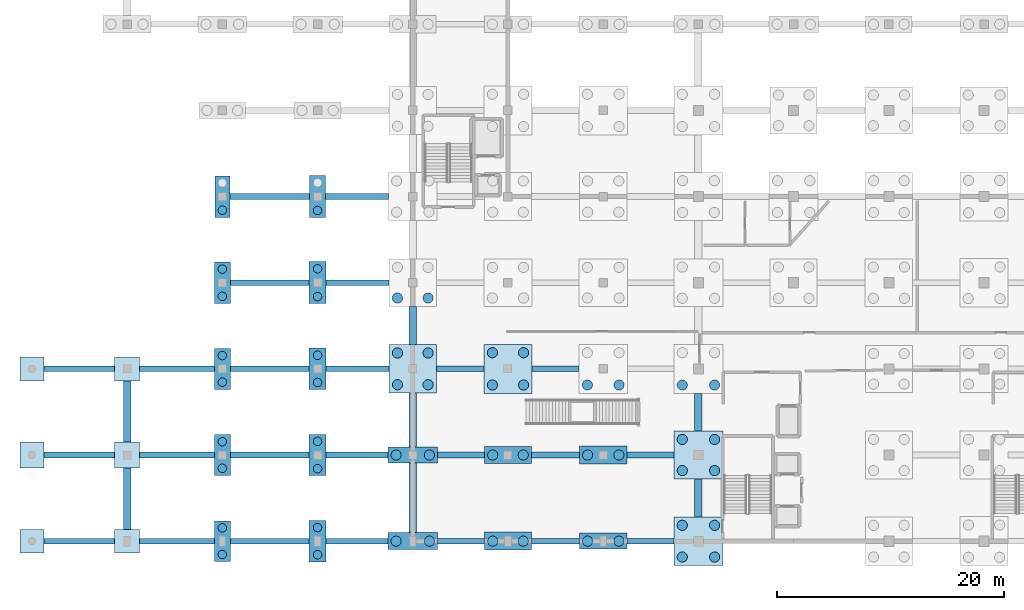
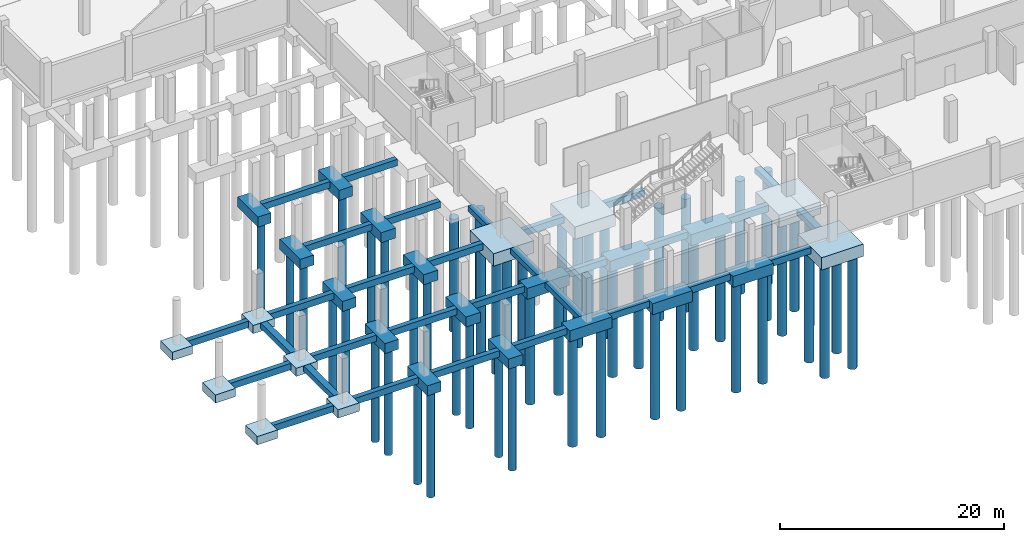
# One storey, part 1 of 22: 57 footings, 52 piles.
"""IFC4 building model written with IfcOpenShell, lengths in metres."""

from ifc_helpers import new_model, si_unit, direction, frame, origin, origin_2d, place, context, subcontext, project, spatial, rectangle, circle, extrude, material, material_profile, profile_set, type_object, element, save


model = new_model("IFC4")

# Units and contexts
model_context = context("Model", 3, precision=1e-05, world=origin(), true_north=direction((0.0, 1.0)))
body_context = subcontext(model_context, "Body", "Model", "MODEL_VIEW")
ifc_project = project(units=[si_unit("LENGTHUNIT", "METRE"), si_unit("AREAUNIT", "SQUARE_METRE"), si_unit("VOLUMEUNIT", "CUBIC_METRE"), si_unit("PLANEANGLEUNIT", "RADIAN"), si_unit("MASSUNIT", "GRAM", prefix="KILO")], contexts=[model_context])

# Site, building, storey
site_placement = place(None, origin())
site = spatial("IfcSite", under=ifc_project, at=site_placement, CompositionType="ELEMENT")
building_placement = place(site_placement, origin())
building = spatial("IfcBuilding", under=site, at=building_placement, Name="Zuvorla Pavilion Media Centre", CompositionType="ELEMENT")
storey_placement = place(building_placement, frame((0.0, 0.0, -4.5)))
storey = spatial("IfcBuildingStorey", under=building, at=storey_placement, Name="B01", CompositionType="ELEMENT", Elevation=-4.5)

# Footings
ifc_material = material(Name="Concrete C40/50", Category="concrete")
footing_type_1 = type_object("IfcFootingType", Name="FT-GB56", PredefinedType="FOOTING_BEAM", material=ifc_material)
footing_1_placement = place(storey_placement, frame((12.175048828125, 6.0, -1.10009765625), z_axis=(0.0, 0.0, 1.0), x_axis=(1.0, 0.0, 0.0)))
element("IfcFooting", 1, at=footing_1_placement, inside=storey, type_object=footing_type_1, Name="Ground beam GB56 1", PredefinedType="FOOTING_BEAM", context=body_context, shape_type="SweptSolid", body=[
    extrude(rectangle(XDim=6.25, YDim=0.5, at=origin_2d()), origin(), (0.0, 0.0, 1.0), 0.699951171875),
])
footing_2_placement = place(storey_placement, frame((20.797607421875, 6.0, -1.10009765625), z_axis=(0.0, 0.0, 1.0), x_axis=(1.0, 0.0, 0.0)))
element("IfcFooting", 2, at=footing_2_placement, inside=storey, type_object=footing_type_1, Name="Ground beam GB56 2", PredefinedType="FOOTING_BEAM", context=body_context, shape_type="SweptSolid", body=[
    extrude(rectangle(XDim=6.594970703125, YDim=0.5, at=origin_2d()), origin(), (0.0, 0.0, 1.0), 0.699951171875),
])
footing_3_placement = place(storey_placement, frame((28.97998046875, 6.0, -1.10009765625), z_axis=(0.0, 0.0, 1.0), x_axis=(1.0, 0.0, 0.0)))
element("IfcFooting", 3, at=footing_3_placement, inside=storey, type_object=footing_type_1, Name="Ground beam GB56 3", PredefinedType="FOOTING_BEAM", context=body_context, shape_type="SweptSolid", body=[
    extrude(rectangle(XDim=6.949951171875, YDim=0.5, at=origin_2d()), origin(), (0.0, 0.0, 1.0), 0.699951171875),
])
footing_4_placement = place(storey_placement, frame((36.6826171875, 6.0, -1.10009765625), z_axis=(0.0, 0.0, 1.0), x_axis=(1.0, 0.0, 0.0)))
element("IfcFooting", 4, at=footing_4_placement, inside=storey, type_object=footing_type_1, Name="Ground beam GB56 4", PredefinedType="FOOTING_BEAM", context=body_context, shape_type="SweptSolid", body=[
    extrude(rectangle(XDim=5.47509765625, YDim=0.5, at=origin_2d()), origin(), (0.0, 0.0, 1.0), 0.699951171875),
])
footing_5_placement = place(storey_placement, frame((45.860107421875, 6.0, -1.10009765625), z_axis=(0.0, 0.0, 1.0), x_axis=(1.0, 0.0, 0.0)))
element("IfcFooting", 5, at=footing_5_placement, inside=storey, type_object=footing_type_1, Name="Ground beam GB56 5", PredefinedType="FOOTING_BEAM", context=body_context, shape_type="SweptSolid", body=[
    extrude(rectangle(XDim=4.159912109375, YDim=0.5, at=origin_2d()), origin(), (0.0, 0.0, 1.0), 0.699951171875),
])
footing_6_placement = place(storey_placement, frame((54.18505859375, 6.0, -1.10009765625), z_axis=(0.0, 0.0, 1.0), x_axis=(1.0, 0.0, 0.0)))
element("IfcFooting", 6, at=footing_6_placement, inside=storey, type_object=footing_type_1, Name="Ground beam GB56 6", PredefinedType="FOOTING_BEAM", context=body_context, shape_type="SweptSolid", body=[
    extrude(rectangle(XDim=4.25, YDim=0.5, at=origin_2d()), origin(), (0.0, 0.0, 1.0), 0.699951171875),
])
footing_7_placement = place(storey_placement, frame((62.5673828125, 6.0, -1.10009765625), z_axis=(0.0, 0.0, 1.0), x_axis=(1.0, 0.0, 0.0)))
element("IfcFooting", 7, at=footing_7_placement, inside=storey, type_object=footing_type_1, Name="Ground beam GB56 7", PredefinedType="FOOTING_BEAM", context=body_context, shape_type="SweptSolid", body=[
    extrude(rectangle(XDim=4.155029296875, YDim=0.5, at=origin_2d()), origin(), (0.0, 0.0, 1.0), 0.699951171875),
])
footing_8_placement = place(storey_placement, frame((12.175048828125, 13.60009765625, -1.10009765625), z_axis=(0.0, 0.0, 1.0), x_axis=(1.0, 0.0, 0.0)))
element("IfcFooting", 8, at=footing_8_placement, inside=storey, type_object=footing_type_1, Name="Ground beam GB56 19", PredefinedType="FOOTING_BEAM", context=body_context, shape_type="SweptSolid", body=[
    extrude(rectangle(XDim=6.25, YDim=0.5, at=origin_2d()), origin(), (0.0, 0.0, 1.0), 0.699951171875),
])
footing_9_placement = place(storey_placement, frame((20.797607421875, 13.60009765625, -1.10009765625), z_axis=(0.0, 0.0, 1.0), x_axis=(1.0, 0.0, 0.0)))
element("IfcFooting", 9, at=footing_9_placement, inside=storey, type_object=footing_type_1, Name="Ground beam GB56 20", PredefinedType="FOOTING_BEAM", context=body_context, shape_type="SweptSolid", body=[
    extrude(rectangle(XDim=6.594970703125, YDim=0.5, at=origin_2d()), origin(), (0.0, 0.0, 1.0), 0.699951171875),
])
footing_10_placement = place(storey_placement, frame((28.97998046875, 13.60009765625, -1.10009765625), z_axis=(0.0, 0.0, 1.0), x_axis=(1.0, 0.0, 0.0)))
element("IfcFooting", 10, at=footing_10_placement, inside=storey, type_object=footing_type_1, Name="Ground beam GB56 21", PredefinedType="FOOTING_BEAM", context=body_context, shape_type="SweptSolid", body=[
    extrude(rectangle(XDim=6.949951171875, YDim=0.5, at=origin_2d()), origin(), (0.0, 0.0, 1.0), 0.699951171875),
])
footing_11_placement = place(storey_placement, frame((36.6826171875, 13.60009765625, -1.10009765625), z_axis=(0.0, 0.0, 1.0), x_axis=(1.0, 0.0, 0.0)))
element("IfcFooting", 11, at=footing_11_placement, inside=storey, type_object=footing_type_1, Name="Ground beam GB56 22", PredefinedType="FOOTING_BEAM", context=body_context, shape_type="SweptSolid", body=[
    extrude(rectangle(XDim=5.47509765625, YDim=0.5, at=origin_2d()), origin(), (0.0, 0.0, 1.0), 0.699951171875),
])
footing_12_placement = place(storey_placement, frame((45.860107421875, 13.60009765625, -1.10009765625), z_axis=(0.0, 0.0, 1.0), x_axis=(1.0, 0.0, 0.0)))
element("IfcFooting", 12, at=footing_12_placement, inside=storey, type_object=footing_type_1, Name="Ground beam GB56 23", PredefinedType="FOOTING_BEAM", context=body_context, shape_type="SweptSolid", body=[
    extrude(rectangle(XDim=4.159912109375, YDim=0.5, at=origin_2d()), origin(), (0.0, 0.0, 1.0), 0.699951171875),
])
footing_13_placement = place(storey_placement, frame((54.18505859375, 13.60009765625, -1.10009765625), z_axis=(0.0, 0.0, 1.0), x_axis=(1.0, 0.0, 0.0)))
element("IfcFooting", 13, at=footing_13_placement, inside=storey, type_object=footing_type_1, Name="Ground beam GB56 24", PredefinedType="FOOTING_BEAM", context=body_context, shape_type="SweptSolid", body=[
    extrude(rectangle(XDim=4.25, YDim=0.5, at=origin_2d()), origin(), (0.0, 0.0, 1.0), 0.699951171875),
])
footing_14_placement = place(storey_placement, frame((62.5673828125, 13.60009765625, -1.10009765625), z_axis=(0.0, 0.0, 1.0), x_axis=(1.0, 0.0, 0.0)))
element("IfcFooting", 14, at=footing_14_placement, inside=storey, type_object=footing_type_1, Name="Ground beam GB56 25", PredefinedType="FOOTING_BEAM", context=body_context, shape_type="SweptSolid", body=[
    extrude(rectangle(XDim=4.155029296875, YDim=0.5, at=origin_2d()), origin(), (0.0, 0.0, 1.0), 0.699951171875),
])
footing_15_placement = place(storey_placement, frame((12.175048828125, 21.199951171875, -1.10009765625), z_axis=(0.0, 0.0, 1.0), x_axis=(1.0, 0.0, 0.0)))
element("IfcFooting", 15, at=footing_15_placement, inside=storey, type_object=footing_type_1, Name="Ground beam GB56 37", PredefinedType="FOOTING_BEAM", context=body_context, shape_type="SweptSolid", body=[
    extrude(rectangle(XDim=6.25, YDim=0.5, at=origin_2d()), origin(), (0.0, 0.0, 1.0), 0.699951171875),
])
footing_16_placement = place(storey_placement, frame((20.797607421875, 21.199951171875, -1.10009765625), z_axis=(0.0, 0.0, 1.0), x_axis=(1.0, 0.0, 0.0)))
element("IfcFooting", 16, at=footing_16_placement, inside=storey, type_object=footing_type_1, Name="Ground beam GB56 38", PredefinedType="FOOTING_BEAM", context=body_context, shape_type="SweptSolid", body=[
    extrude(rectangle(XDim=6.594970703125, YDim=0.5, at=origin_2d()), origin(), (0.0, 0.0, 1.0), 0.699951171875),
])
footing_17_placement = place(storey_placement, frame((28.97998046875, 21.199951171875, -1.10009765625), z_axis=(0.0, 0.0, 1.0), x_axis=(1.0, 0.0, 0.0)))
element("IfcFooting", 17, at=footing_17_placement, inside=storey, type_object=footing_type_1, Name="Ground beam GB56 39", PredefinedType="FOOTING_BEAM", context=body_context, shape_type="SweptSolid", body=[
    extrude(rectangle(XDim=6.949951171875, YDim=0.5, at=origin_2d()), origin(), (0.0, 0.0, 1.0), 0.699951171875),
])
footing_18_placement = place(storey_placement, frame((36.732421875, 21.199951171875, -1.10009765625), z_axis=(0.0, 0.0, 1.0), x_axis=(1.0, 0.0, 0.0)))
element("IfcFooting", 18, at=footing_18_placement, inside=storey, type_object=footing_type_1, Name="Ground beam GB56 40", PredefinedType="FOOTING_BEAM", context=body_context, shape_type="SweptSolid", body=[
    extrude(rectangle(XDim=5.574951171875, YDim=0.5, at=origin_2d()), origin(), (0.0, 0.0, 1.0), 0.699951171875),
])
footing_19_placement = place(storey_placement, frame((45.78759765625, 21.199951171875, -1.10009765625), z_axis=(0.0, 0.0, 1.0), x_axis=(1.0, 0.0, 0.0)))
element("IfcFooting", 19, at=footing_19_placement, inside=storey, type_object=footing_type_1, Name="Ground beam GB56 41", PredefinedType="FOOTING_BEAM", context=body_context, shape_type="SweptSolid", body=[
    extrude(rectangle(XDim=4.215087890625, YDim=0.5, at=origin_2d()), origin(), (0.0, 0.0, 1.0), 0.699951171875),
])
footing_20_placement = place(storey_placement, frame((54.1875, 21.199951171875, -1.10009765625), z_axis=(0.0, 0.0, 1.0), x_axis=(1.0, 0.0, 0.0)))
element("IfcFooting", 20, at=footing_20_placement, inside=storey, type_object=footing_type_1, Name="Ground beam GB56 42", PredefinedType="FOOTING_BEAM", context=body_context, shape_type="SweptSolid", body=[
    extrude(rectangle(XDim=4.1650390625, YDim=0.5, at=origin_2d()), origin(), (0.0, 0.0, 1.0), 0.699951171875),
])
footing_21_placement = place(storey_placement, frame((28.97998046875, 28.800048828125, -1.10009765625), z_axis=(0.0, 0.0, 1.0), x_axis=(1.0, 0.0, 0.0)))
element("IfcFooting", 21, at=footing_21_placement, inside=storey, type_object=footing_type_1, Name="Ground beam GB56 52", PredefinedType="FOOTING_BEAM", context=body_context, shape_type="SweptSolid", body=[
    extrude(rectangle(XDim=6.949951171875, YDim=0.5, at=origin_2d()), origin(), (0.0, 0.0, 1.0), 0.699951171875),
])
footing_22_placement = place(storey_placement, frame((36.732421875, 28.800048828125, -1.10009765625), z_axis=(0.0, 0.0, 1.0), x_axis=(1.0, 0.0, 0.0)))
element("IfcFooting", 22, at=footing_22_placement, inside=storey, type_object=footing_type_1, Name="Ground beam GB56 53", PredefinedType="FOOTING_BEAM", context=body_context, shape_type="SweptSolid", body=[
    extrude(rectangle(XDim=5.574951171875, YDim=0.5, at=origin_2d()), origin(), (0.0, 0.0, 1.0), 0.699951171875),
])
footing_23_placement = place(storey_placement, frame((28.97998046875, 36.39990234375, -1.10009765625), z_axis=(0.0, 0.0, 1.0), x_axis=(1.0, 0.0, 0.0)))
element("IfcFooting", 23, at=footing_23_placement, inside=storey, type_object=footing_type_1, Name="Ground beam GB56 65", PredefinedType="FOOTING_BEAM", context=body_context, shape_type="SweptSolid", body=[
    extrude(rectangle(XDim=7.030029296875, YDim=0.5, at=origin_2d()), origin(), (0.0, 0.0, 1.0), 0.699951171875),
])
footing_24_placement = place(storey_placement, frame((36.675048828125, 36.39990234375, -1.10009765625), z_axis=(0.0, 0.0, 1.0), x_axis=(1.0, 0.0, 0.0)))
element("IfcFooting", 24, at=footing_24_placement, inside=storey, type_object=footing_type_1, Name="Ground beam GB56 66", PredefinedType="FOOTING_BEAM", context=body_context, shape_type="SweptSolid", body=[
    extrude(rectangle(XDim=5.5400390625, YDim=0.5, at=origin_2d()), origin(), (0.0, 0.0, 1.0), 0.699951171875),
])
footing_type_2 = type_object("IfcFootingType", Name="FT-PC03", PredefinedType="PILE_CAP", material=ifc_material)
for number, where, z_axis, x_axis, name in (
    (25, (24.800048828125, 6.0, -1.5), (0.0, 0.0, 1.0), (1.0, 0.0, 0.0), "Pile cap PC03"),
    (26, (24.800048828125, 13.60009765625, -1.5), (0.0, 0.0, 1.0), (1.0, 0.0, 0.0), "Pile cap PC03"),
    (27, (24.800048828125, 21.199951171875, -1.5), (0.0, 0.0, 1.0), (1.0, 0.0, 0.0), "Pile cap PC03"),
):
    element("IfcFooting", number, at=place(storey_placement, frame(where, z_axis=z_axis, x_axis=x_axis)), inside=storey, type_object=footing_type_2, Name=name, PredefinedType="PILE_CAP", context=body_context, shape_type="SweptSolid", body=[
        extrude(rectangle(XDim=1.409912109375, YDim=3.60009765625, at=origin_2d()), origin(), (0.0, 0.0, 1.0), 1.10009765625),
    ])
footing_type_3 = type_object("IfcFootingType", Name="FT-PC04", PredefinedType="PILE_CAP", material=ifc_material)
for number, where, z_axis, x_axis, name in (
    (28, (33.199951171875, 6.0, -1.5), (0.0, 0.0, 1.0), (1.0, 0.0, 0.0), "Pile cap PC04"),
    (29, (33.199951171875, 13.60009765625, -1.5), (0.0, 0.0, 1.0), (1.0, 0.0, 0.0), "Pile cap PC04"),
    (30, (33.199951171875, 21.199951171875, -1.5), (0.0, 0.0, 1.0), (1.0, 0.0, 0.0), "Pile cap PC04"),
):
    element("IfcFooting", number, at=place(storey_placement, frame(where, z_axis=z_axis, x_axis=x_axis)), inside=storey, type_object=footing_type_3, Name=name, PredefinedType="PILE_CAP", context=body_context, shape_type="SweptSolid", body=[
        extrude(rectangle(XDim=1.489990234375, YDim=3.64990234375, at=origin_2d()), origin(), (0.0, 0.0, 1.0), 1.10009765625),
    ])
footing_type_4 = type_object("IfcFootingType", Name="FT-PC05", PredefinedType="PILE_CAP", material=ifc_material)
footing_25_placement = place(storey_placement, frame((41.60009765625, 6.0, -1.60009765625), z_axis=(0.0, 0.0, 1.0), x_axis=(1.0, 0.0, 0.0)))
element("IfcFooting", 31, at=footing_25_placement, inside=storey, type_object=footing_type_4, Name="Pile cap PC05", PredefinedType="PILE_CAP", context=body_context, shape_type="SweptSolid", body=[
    extrude(rectangle(XDim=4.360107421875, YDim=1.5, at=origin_2d()), origin(), (0.0, 0.0, 1.0), 1.199951171875),
])
footing_type_5 = type_object("IfcFootingType", Name="FT-PC06", PredefinedType="PILE_CAP", material=ifc_material)
footing_26_placement = place(storey_placement, frame((50.0, 6.0, -1.60009765625), z_axis=(0.0, 0.0, 1.0), x_axis=(1.0, 0.0, 0.0)))
element("IfcFooting", 32, at=footing_26_placement, inside=storey, type_object=footing_type_5, Name="Pile cap PC06", PredefinedType="PILE_CAP", context=body_context, shape_type="SweptSolid", body=[
    extrude(rectangle(XDim=4.1201171875, YDim=1.580078125, at=origin_2d()), origin(), (0.0, 0.0, 1.0), 1.199951171875),
])
footing_type_6 = type_object("IfcFootingType", Name="FT-PC07", PredefinedType="PILE_CAP", material=ifc_material)
footing_27_placement = place(storey_placement, frame((58.39990234375, 6.0, -1.60009765625), z_axis=(0.0, 0.0, 1.0), x_axis=(1.0, 0.0, 0.0)))
element("IfcFooting", 33, at=footing_27_placement, inside=storey, type_object=footing_type_6, Name="Pile cap PC07", PredefinedType="PILE_CAP", context=body_context, shape_type="SweptSolid", body=[
    extrude(rectangle(XDim=4.179931640625, YDim=1.419921875, at=origin_2d()), origin(), (0.0, 0.0, 1.0), 1.199951171875),
])
footing_type_7 = type_object("IfcFootingType", Name="FT-PC08", PredefinedType="PILE_CAP", material=ifc_material)
footing_28_placement = place(storey_placement, frame((66.800048828125, 6.0, -1.75), z_axis=(0.0, 0.0, 1.0), x_axis=(1.0, 0.0, 0.0)))
element("IfcFooting", 34, at=footing_28_placement, inside=storey, type_object=footing_type_7, Name="Pile cap PC08", PredefinedType="PILE_CAP", context=body_context, shape_type="SweptSolid", body=[
    extrude(rectangle(XDim=4.31005859375, YDim=4.260009765625, at=origin_2d()), origin(), (0.0, 0.0, 1.0), 1.35009765625),
])
footing_type_8 = type_object("IfcFootingType", Name="FT-PC09", PredefinedType="PILE_CAP", material=ifc_material)
footing_29_placement = place(storey_placement, frame((41.60009765625, 21.199951171875, -1.75), z_axis=(0.0, 0.0, 1.0), x_axis=(1.0, 0.0, 0.0)))
element("IfcFooting", 35, at=footing_29_placement, inside=storey, type_object=footing_type_8, Name="Pile cap PC09", PredefinedType="PILE_CAP", context=body_context, shape_type="SweptSolid", body=[
    extrude(rectangle(XDim=4.159912109375, YDim=4.260009765625, at=origin_2d()), origin(), (0.0, 0.0, 1.0), 1.35009765625),
])
footing_type_9 = type_object("IfcFootingType", Name="FT-PC10", PredefinedType="PILE_CAP", material=ifc_material)
footing_30_placement = place(storey_placement, frame((50.0, 21.199951171875, -1.75), z_axis=(0.0, 0.0, 1.0), x_axis=(1.0, 0.0, 0.0)))
element("IfcFooting", 36, at=footing_30_placement, inside=storey, type_object=footing_type_9, Name="Pile cap PC10", PredefinedType="PILE_CAP", context=body_context, shape_type="SweptSolid", body=[
    extrude(rectangle(XDim=4.2099609375, YDim=4.31005859375, at=origin_2d()), origin(), (0.0, 0.0, 1.0), 1.35009765625),
])
footing_type_10 = type_object("IfcFootingType", Name="FT-PC23", PredefinedType="PILE_CAP", material=ifc_material)
footing_31_placement = place(storey_placement, frame((41.60009765625, 13.60009765625, -1.60009765625), z_axis=(0.0, 0.0, 1.0), x_axis=(1.0, 0.0, 0.0)))
element("IfcFooting", 37, at=footing_31_placement, inside=storey, type_object=footing_type_10, Name="Pile cap PC23", PredefinedType="PILE_CAP", context=body_context, shape_type="SweptSolid", body=[
    extrude(rectangle(XDim=4.360107421875, YDim=1.419921875, at=origin_2d()), origin(), (0.0, 0.0, 1.0), 1.199951171875),
])
footing_type_11 = type_object("IfcFootingType", Name="FT-PC24", PredefinedType="PILE_CAP", material=ifc_material)
footing_32_placement = place(storey_placement, frame((50.0, 13.60009765625, -1.60009765625), z_axis=(0.0, 0.0, 1.0), x_axis=(1.0, 0.0, 0.0)))
element("IfcFooting", 38, at=footing_32_placement, inside=storey, type_object=footing_type_11, Name="Pile cap PC24", PredefinedType="PILE_CAP", context=body_context, shape_type="SweptSolid", body=[
    extrude(rectangle(XDim=4.1201171875, YDim=1.5, at=origin_2d()), origin(), (0.0, 0.0, 1.0), 1.199951171875),
])
footing_type_12 = type_object("IfcFootingType", Name="FT-PC25", PredefinedType="PILE_CAP", material=ifc_material)
footing_33_placement = place(storey_placement, frame((58.39990234375, 13.60009765625, -1.60009765625), z_axis=(0.0, 0.0, 1.0), x_axis=(1.0, 0.0, 0.0)))
element("IfcFooting", 39, at=footing_33_placement, inside=storey, type_object=footing_type_12, Name="Pile cap PC25", PredefinedType="PILE_CAP", context=body_context, shape_type="SweptSolid", body=[
    extrude(rectangle(XDim=4.179931640625, YDim=1.580078125, at=origin_2d()), origin(), (0.0, 0.0, 1.0), 1.199951171875),
])
footing_type_13 = type_object("IfcFootingType", Name="FT-PC26", PredefinedType="PILE_CAP", material=ifc_material)
footing_34_placement = place(storey_placement, frame((66.800048828125, 13.60009765625, -1.75), z_axis=(0.0, 0.0, 1.0), x_axis=(1.0, 0.0, 0.0)))
element("IfcFooting", 40, at=footing_34_placement, inside=storey, type_object=footing_type_13, Name="Pile cap PC26", PredefinedType="PILE_CAP", context=body_context, shape_type="SweptSolid", body=[
    extrude(rectangle(XDim=4.31005859375, YDim=4.2099609375, at=origin_2d()), origin(), (0.0, 0.0, 1.0), 1.35009765625),
])
footing_type_14 = type_object("IfcFootingType", Name="FT-PC38", PredefinedType="PILE_CAP", material=ifc_material)
footing_35_placement = place(storey_placement, frame((24.800048828125, 28.800048828125, -1.5), z_axis=(0.0, 0.0, 1.0), x_axis=(1.0, 0.0, 0.0)))
element("IfcFooting", 41, at=footing_35_placement, inside=storey, type_object=footing_type_14, Name="Pile cap PC38", PredefinedType="PILE_CAP", context=body_context, shape_type="SweptSolid", body=[
    extrude(rectangle(XDim=1.409912109375, YDim=3.64990234375, at=origin_2d()), origin(), (0.0, 0.0, 1.0), 1.10009765625),
])
footing_type_15 = type_object("IfcFootingType", Name="FT-PC39", PredefinedType="PILE_CAP", material=ifc_material)
footing_36_placement = place(storey_placement, frame((33.199951171875, 28.800048828125, -1.5), z_axis=(0.0, 0.0, 1.0), x_axis=(1.0, 0.0, 0.0)))
element("IfcFooting", 42, at=footing_36_placement, inside=storey, type_object=footing_type_15, Name="Pile cap PC39", PredefinedType="PILE_CAP", context=body_context, shape_type="SweptSolid", body=[
    extrude(rectangle(XDim=1.489990234375, YDim=3.699951171875, at=origin_2d()), origin(), (0.0, 0.0, 1.0), 1.10009765625),
])
footing_type_16 = type_object("IfcFootingType", Name="FT-PC40", PredefinedType="PILE_CAP", material=ifc_material)
footing_37_placement = place(storey_placement, frame((24.800048828125, 36.39990234375, -1.5), z_axis=(0.0, 0.0, 1.0), x_axis=(1.0, 0.0, 0.0)))
element("IfcFooting", 43, at=footing_37_placement, inside=storey, type_object=footing_type_16, Name="Pile cap PC40", PredefinedType="PILE_CAP", context=body_context, shape_type="SweptSolid", body=[
    extrude(rectangle(XDim=1.330078125, YDim=3.64990234375, at=origin_2d()), origin(), (0.0, 0.0, 1.0), 1.10009765625),
])
footing_type_17 = type_object("IfcFootingType", Name="FT-PC41", PredefinedType="PILE_CAP", material=ifc_material)
footing_38_placement = place(storey_placement, frame((33.199951171875, 36.39990234375, -1.5), z_axis=(0.0, 0.0, 1.0), x_axis=(1.0, 0.0, 0.0)))
element("IfcFooting", 44, at=footing_38_placement, inside=storey, type_object=footing_type_17, Name="Pile cap PC41", PredefinedType="PILE_CAP", context=body_context, shape_type="SweptSolid", body=[
    extrude(rectangle(XDim=1.409912109375, YDim=3.699951171875, at=origin_2d()), origin(), (0.0, 0.0, 1.0), 1.10009765625),
])
footing_type_18 = type_object("IfcFootingType", Name="FT-PF01", PredefinedType="PAD_FOOTING", material=ifc_material)
for number, where, z_axis, x_axis, name in (
    (45, (8.0, 6.0, -1.300048828125), (0.0, 0.0, 1.0), (1.0, 0.0, 0.0), "Pad footing PF01"),
    (46, (8.0, 21.199951171875, -1.300048828125), (0.0, 0.0, 1.0), (1.0, 0.0, 0.0), "Pad footing PF01"),
):
    element("IfcFooting", number, at=place(storey_placement, frame(where, z_axis=z_axis, x_axis=x_axis)), inside=storey, type_object=footing_type_18, Name=name, PredefinedType="PAD_FOOTING", context=body_context, shape_type="SweptSolid", body=[
        extrude(rectangle(XDim=2.10009765625, YDim=2.10009765625, at=origin_2d()), origin(), (0.0, 0.0, 1.0), 0.89990234375),
    ])
footing_type_19 = type_object("IfcFootingType", Name="FT-PF02", PredefinedType="PAD_FOOTING", material=ifc_material)
for number, where, z_axis, x_axis, name in (
    (47, (16.39990234375, 6.0, -1.300048828125), (0.0, 0.0, 1.0), (1.0, 0.0, 0.0), "Pad footing PF02"),
    (48, (16.39990234375, 21.199951171875, -1.300048828125), (0.0, 0.0, 1.0), (1.0, 0.0, 0.0), "Pad footing PF02"),
):
    element("IfcFooting", number, at=place(storey_placement, frame(where, z_axis=z_axis, x_axis=x_axis)), inside=storey, type_object=footing_type_19, Name=name, PredefinedType="PAD_FOOTING", context=body_context, shape_type="SweptSolid", body=[
        extrude(rectangle(XDim=2.199951171875, YDim=2.10009765625, at=origin_2d()), origin(), (0.0, 0.0, 1.0), 0.89990234375),
    ])
footing_type_20 = type_object("IfcFootingType", Name="FT-PF21", PredefinedType="PAD_FOOTING", material=ifc_material)
footing_39_placement = place(storey_placement, frame((8.0, 13.60009765625, -1.300048828125), z_axis=(0.0, 0.0, 1.0), x_axis=(1.0, 0.0, 0.0)))
element("IfcFooting", 49, at=footing_39_placement, inside=storey, type_object=footing_type_20, Name="Pad footing PF21", PredefinedType="PAD_FOOTING", context=body_context, shape_type="SweptSolid", body=[
    extrude(rectangle(XDim=2.10009765625, YDim=2.300048828125, at=origin_2d()), origin(), (0.0, 0.0, 1.0), 0.89990234375),
])
footing_type_21 = type_object("IfcFootingType", Name="FT-PF22", PredefinedType="PAD_FOOTING", material=ifc_material)
footing_40_placement = place(storey_placement, frame((16.39990234375, 13.60009765625, -1.300048828125), z_axis=(0.0, 0.0, 1.0), x_axis=(1.0, 0.0, 0.0)))
element("IfcFooting", 50, at=footing_40_placement, inside=storey, type_object=footing_type_21, Name="Pad footing PF22", PredefinedType="PAD_FOOTING", context=body_context, shape_type="SweptSolid", body=[
    extrude(rectangle(XDim=2.199951171875, YDim=2.300048828125, at=origin_2d()), origin(), (0.0, 0.0, 1.0), 0.89990234375),
])
footing_type_22 = type_object("IfcFootingType", Name="FT-SF57", PredefinedType="STRIP_FOOTING", material=ifc_material)
for number, where, z_axis, x_axis, name in (
    (51, (16.39990234375, 9.75, -1.0), (0.0, 0.0, 1.0), (0.0, 1.0, 0.0), "Strip footing SF57 1"),
    (52, (16.39990234375, 17.449951171875, -1.0), (0.0, 0.0, 1.0), (0.0, 1.0, 0.0), "Strip footing SF57 2"),
):
    element("IfcFooting", number, at=place(storey_placement, frame(where, z_axis=z_axis, x_axis=x_axis)), inside=storey, type_object=footing_type_22, Name=name, PredefinedType="STRIP_FOOTING", context=body_context, shape_type="SweptSolid", body=[
        extrude(rectangle(XDim=5.39990234375, YDim=0.64990234375, at=origin_2d()), origin(), (0.0, 0.0, 1.0), 0.60009765625),
    ])
footing_41_placement = place(storey_placement, frame((41.60009765625, 9.820068359375, -1.0), z_axis=(0.0, 0.0, 1.0), x_axis=(0.0, 1.0, 0.0)))
element("IfcFooting", 53, at=footing_41_placement, inside=storey, type_object=footing_type_22, Name="Strip footing SF57 12", PredefinedType="STRIP_FOOTING", context=body_context, shape_type="SweptSolid", body=[
    extrude(rectangle(XDim=6.139892578125, YDim=0.64990234375, at=origin_2d()), origin(), (0.0, 0.0, 1.0), 0.60009765625),
])
footing_42_placement = place(storey_placement, frame((41.60009765625, 16.68994140625, -1.0), z_axis=(0.0, 0.0, 1.0), x_axis=(0.0, 1.0, 0.0)))
element("IfcFooting", 54, at=footing_42_placement, inside=storey, type_object=footing_type_22, Name="Strip footing SF57 13", PredefinedType="STRIP_FOOTING", context=body_context, shape_type="SweptSolid", body=[
    extrude(rectangle(XDim=4.760009765625, YDim=0.64990234375, at=origin_2d()), origin(), (0.0, 0.0, 1.0), 0.60009765625),
])
footing_43_placement = place(storey_placement, frame((41.60009765625, 25.02490234375, -1.0), z_axis=(0.0, 0.0, 1.0), x_axis=(0.0, 1.0, 0.0)))
element("IfcFooting", 55, at=footing_43_placement, inside=storey, type_object=footing_type_22, Name="Strip footing SF57 14", PredefinedType="STRIP_FOOTING", context=body_context, shape_type="SweptSolid", body=[
    extrude(rectangle(XDim=3.389892578125, YDim=0.64990234375, at=origin_2d()), origin(), (0.0, 0.0, 1.0), 0.60009765625),
])
footing_44_placement = place(storey_placement, frame((66.800048828125, 9.8125, -1.0), z_axis=(0.0, 0.0, 1.0), x_axis=(0.0, 1.0, 0.0)))
element("IfcFooting", 56, at=footing_44_placement, inside=storey, type_object=footing_type_22, Name="Strip footing SF57 27", PredefinedType="STRIP_FOOTING", context=body_context, shape_type="SweptSolid", body=[
    extrude(rectangle(XDim=3.364990234375, YDim=0.64990234375, at=origin_2d()), origin(), (0.0, 0.0, 1.0), 0.60009765625),
])
footing_45_placement = place(storey_placement, frame((66.800048828125, 17.375, -1.0), z_axis=(0.0, 0.0, 1.0), x_axis=(0.0, 1.0, 0.0)))
element("IfcFooting", 57, at=footing_45_placement, inside=storey, type_object=footing_type_22, Name="Strip footing SF57 28", PredefinedType="STRIP_FOOTING", context=body_context, shape_type="SweptSolid", body=[
    extrude(rectangle(XDim=3.340087890625, YDim=0.64990234375, at=origin_2d()), origin(), (0.0, 0.0, 1.0), 0.60009765625),
])

# Piles
ifc_material_profile_1 = material_profile(ifc_material, circle(Radius=0.375, at=origin_2d()), Name="BORED PILE 750")
ifc_profile_set_1 = profile_set([ifc_material_profile_1], Name="Concrete C40/50")
pile_type_1 = type_object("IfcPileType", Name="PIL-D750", PredefinedType="BORED", material=ifc_profile_set_1)
for number, where, z_axis, x_axis, name in (
    (58, (24.800048828125, 4.824951171875, -1.39990234375), (0.0, 0.0, -1.0), (1.0, 0.0, 0.0), "Bored pile P75 1"),
    (59, (24.800048828125, 7.175048828125, -1.39990234375), (0.0, 0.0, -1.0), (1.0, 0.0, 0.0), "Bored pile P75 2"),
    (60, (33.199951171875, 4.800048828125, -1.39990234375), (0.0, 0.0, -1.0), (1.0, 0.0, 0.0), "Bored pile P75 3"),
    (61, (33.199951171875, 7.199951171875, -1.39990234375), (0.0, 0.0, -1.0), (1.0, 0.0, 0.0), "Bored pile P75 4"),
    (62, (24.800048828125, 12.425048828125, -1.39990234375), (0.0, 0.0, -1.0), (1.0, 0.0, 0.0), "Bored pile P75 43"),
    (63, (24.800048828125, 14.77490234375, -1.39990234375), (0.0, 0.0, -1.0), (1.0, 0.0, 0.0), "Bored pile P75 44"),
    (64, (33.199951171875, 12.39990234375, -1.39990234375), (0.0, 0.0, -1.0), (1.0, 0.0, 0.0), "Bored pile P75 45"),
    (65, (33.199951171875, 14.800048828125, -1.39990234375), (0.0, 0.0, -1.0), (1.0, 0.0, 0.0), "Bored pile P75 46"),
    (66, (24.800048828125, 20.02490234375, -1.39990234375), (0.0, 0.0, -1.0), (1.0, 0.0, 0.0), "Bored pile P75 85"),
    (67, (24.800048828125, 22.375, -1.39990234375), (0.0, 0.0, -1.0), (1.0, 0.0, 0.0), "Bored pile P75 86"),
    (68, (33.199951171875, 20.0, -1.39990234375), (0.0, 0.0, -1.0), (1.0, 0.0, 0.0), "Bored pile P75 87"),
    (69, (33.199951171875, 22.39990234375, -1.39990234375), (0.0, 0.0, -1.0), (1.0, 0.0, 0.0), "Bored pile P75 88"),
    (70, (24.800048828125, 27.60009765625, -1.39990234375), (0.0, 0.0, -1.0), (1.0, 0.0, 0.0), "Bored pile P75 129"),
    (71, (24.800048828125, 30.0, -1.39990234375), (0.0, 0.0, -1.0), (1.0, 0.0, 0.0), "Bored pile P75 130"),
    (72, (33.199951171875, 27.574951171875, -1.39990234375), (0.0, 0.0, -1.0), (1.0, 0.0, 0.0), "Bored pile P75 131"),
    (73, (33.199951171875, 30.02490234375, -1.39990234375), (0.0, 0.0, -1.0), (1.0, 0.0, 0.0), "Bored pile P75 132"),
    (74, (24.800048828125, 35.199951171875, -1.39990234375), (0.0, 0.0, -1.0), (1.0, 0.0, 0.0), "Bored pile P75 177"),
    (75, (33.199951171875, 35.175048828125, -1.39990234375), (0.0, 0.0, -1.0), (1.0, 0.0, 0.0), "Bored pile P75 179"),
):
    element("IfcPile", number, at=place(storey_placement, frame(where, z_axis=z_axis, x_axis=x_axis)), inside=storey, type_object=pile_type_1, Name=name, PredefinedType="BORED", context=body_context, shape_type="SweptSolid", body=[
        extrude(circle(Radius=0.375, at=origin_2d()), origin(), (0.0, 0.0, 1.0), 11.60009765625),
    ])
ifc_material_profile_2 = material_profile(ifc_material, circle(Radius=0.449951171875, at=origin_2d()), Name="BORED PILE 900")
ifc_profile_set_2 = profile_set([ifc_material_profile_2], Name="Concrete C40/50")
pile_type_2 = type_object("IfcPileType", Name="PIL-D900", PredefinedType="BORED", material=ifc_profile_set_2)
for number, where, z_axis, x_axis, name in (
    (76, (40.1298828125, 6.0, -1.5), (0.0, 0.0, -1.0), (1.0, 0.0, 0.0), "Bored pile P90 5"),
    (77, (43.070068359375, 6.0, -1.5), (0.0, 0.0, -1.0), (1.0, 0.0, 0.0), "Bored pile P90 6"),
    (78, (48.64990234375, 6.0, -1.5), (0.0, 0.0, -1.0), (1.0, 0.0, 0.0), "Bored pile P90 7"),
    (79, (51.35009765625, 6.0, -1.5), (0.0, 0.0, -1.0), (1.0, 0.0, 0.0), "Bored pile P90 8"),
    (80, (57.02001953125, 6.0, -1.5), (0.0, 0.0, -1.0), (1.0, 0.0, 0.0), "Bored pile P90 9"),
    (81, (59.780029296875, 6.0, -1.5), (0.0, 0.0, -1.0), (1.0, 0.0, 0.0), "Bored pile P90 10"),
):
    element("IfcPile", number, at=place(storey_placement, frame(where, z_axis=z_axis, x_axis=x_axis)), inside=storey, type_object=pile_type_2, Name=name, PredefinedType="BORED", context=body_context, shape_type="SweptSolid", body=[
        extrude(circle(Radius=0.449951171875, at=origin_2d()), origin(), (0.0, 0.0, 1.0), 12.0),
    ])
for number, where, z_axis, x_axis, name in (
    (82, (65.375, 4.60009765625, -1.64990234375), (0.0, 0.0, -1.0), (1.0, 0.0, 0.0), "Bored pile P90 11"),
    (83, (68.22509765625, 4.60009765625, -1.64990234375), (0.0, 0.0, -1.0), (1.0, 0.0, 0.0), "Bored pile P90 12"),
    (84, (65.375, 7.39990234375, -1.64990234375), (0.0, 0.0, -1.0), (1.0, 0.0, 0.0), "Bored pile P90 13"),
    (85, (68.22509765625, 7.39990234375, -1.64990234375), (0.0, 0.0, -1.0), (1.0, 0.0, 0.0), "Bored pile P90 14"),
):
    element("IfcPile", number, at=place(storey_placement, frame(where, z_axis=z_axis, x_axis=x_axis)), inside=storey, type_object=pile_type_2, Name=name, PredefinedType="BORED", context=body_context, shape_type="SweptSolid", body=[
        extrude(circle(Radius=0.449951171875, at=origin_2d()), origin(), (0.0, 0.0, 1.0), 12.35009765625),
    ])
for number, where, z_axis, x_axis, name in (
    (86, (40.1298828125, 13.60009765625, -1.5), (0.0, 0.0, -1.0), (1.0, 0.0, 0.0), "Bored pile P90 47"),
    (87, (43.070068359375, 13.60009765625, -1.5), (0.0, 0.0, -1.0), (1.0, 0.0, 0.0), "Bored pile P90 48"),
    (88, (48.64990234375, 13.60009765625, -1.5), (0.0, 0.0, -1.0), (1.0, 0.0, 0.0), "Bored pile P90 49"),
    (89, (51.35009765625, 13.60009765625, -1.5), (0.0, 0.0, -1.0), (1.0, 0.0, 0.0), "Bored pile P90 50"),
    (90, (57.02001953125, 13.60009765625, -1.5), (0.0, 0.0, -1.0), (1.0, 0.0, 0.0), "Bored pile P90 51"),
    (91, (59.780029296875, 13.60009765625, -1.5), (0.0, 0.0, -1.0), (1.0, 0.0, 0.0), "Bored pile P90 52"),
):
    element("IfcPile", number, at=place(storey_placement, frame(where, z_axis=z_axis, x_axis=x_axis)), inside=storey, type_object=pile_type_2, Name=name, PredefinedType="BORED", context=body_context, shape_type="SweptSolid", body=[
        extrude(circle(Radius=0.449951171875, at=origin_2d()), origin(), (0.0, 0.0, 1.0), 12.0),
    ])
for number, where, z_axis, x_axis, name in (
    (92, (65.375, 12.22509765625, -1.64990234375), (0.0, 0.0, -1.0), (1.0, 0.0, 0.0), "Bored pile P90 53"),
    (93, (68.22509765625, 12.22509765625, -1.64990234375), (0.0, 0.0, -1.0), (1.0, 0.0, 0.0), "Bored pile P90 54"),
    (94, (65.375, 14.97509765625, -1.64990234375), (0.0, 0.0, -1.0), (1.0, 0.0, 0.0), "Bored pile P90 55"),
    (95, (68.22509765625, 14.97509765625, -1.64990234375), (0.0, 0.0, -1.0), (1.0, 0.0, 0.0), "Bored pile P90 56"),
    (96, (40.25, 19.800048828125, -1.64990234375), (0.0, 0.0, -1.0), (1.0, 0.0, 0.0), "Bored pile P90 89"),
    (97, (42.949951171875, 19.800048828125, -1.64990234375), (0.0, 0.0, -1.0), (1.0, 0.0, 0.0), "Bored pile P90 90"),
    (98, (40.25, 22.60009765625, -1.64990234375), (0.0, 0.0, -1.0), (1.0, 0.0, 0.0), "Bored pile P90 91"),
    (99, (42.949951171875, 22.60009765625, -1.64990234375), (0.0, 0.0, -1.0), (1.0, 0.0, 0.0), "Bored pile P90 92"),
    (100, (48.625, 19.77490234375, -1.64990234375), (0.0, 0.0, -1.0), (1.0, 0.0, 0.0), "Bored pile P90 93"),
    (101, (51.375, 19.77490234375, -1.64990234375), (0.0, 0.0, -1.0), (1.0, 0.0, 0.0), "Bored pile P90 94"),
    (102, (48.625, 22.625, -1.64990234375), (0.0, 0.0, -1.0), (1.0, 0.0, 0.0), "Bored pile P90 95"),
    (103, (51.375, 22.625, -1.64990234375), (0.0, 0.0, -1.0), (1.0, 0.0, 0.0), "Bored pile P90 96"),
    (104, (57.0, 19.77490234375, -1.64990234375), (0.0, 0.0, -1.0), (1.0, 0.0, 0.0), "Bored pile P90 97"),
    (105, (59.800048828125, 19.77490234375, -1.64990234375), (0.0, 0.0, -1.0), (1.0, 0.0, 0.0), "Bored pile P90 98"),
    (106, (65.375, 19.77490234375, -1.64990234375), (0.0, 0.0, -1.0), (1.0, 0.0, 0.0), "Bored pile P90 101"),
    (107, (68.22509765625, 19.77490234375, -1.64990234375), (0.0, 0.0, -1.0), (1.0, 0.0, 0.0), "Bored pile P90 102"),
    (108, (40.25, 27.449951171875, -1.64990234375), (0.0, 0.0, -1.0), (1.0, 0.0, 0.0), "Bored pile P90 133"),
    (109, (42.949951171875, 27.449951171875, -1.64990234375), (0.0, 0.0, -1.0), (1.0, 0.0, 0.0), "Bored pile P90 134"),
):
    element("IfcPile", number, at=place(storey_placement, frame(where, z_axis=z_axis, x_axis=x_axis)), inside=storey, type_object=pile_type_2, Name=name, PredefinedType="BORED", context=body_context, shape_type="SweptSolid", body=[
        extrude(circle(Radius=0.449951171875, at=origin_2d()), origin(), (0.0, 0.0, 1.0), 12.35009765625),
    ])

save(model, "model.ifc")
